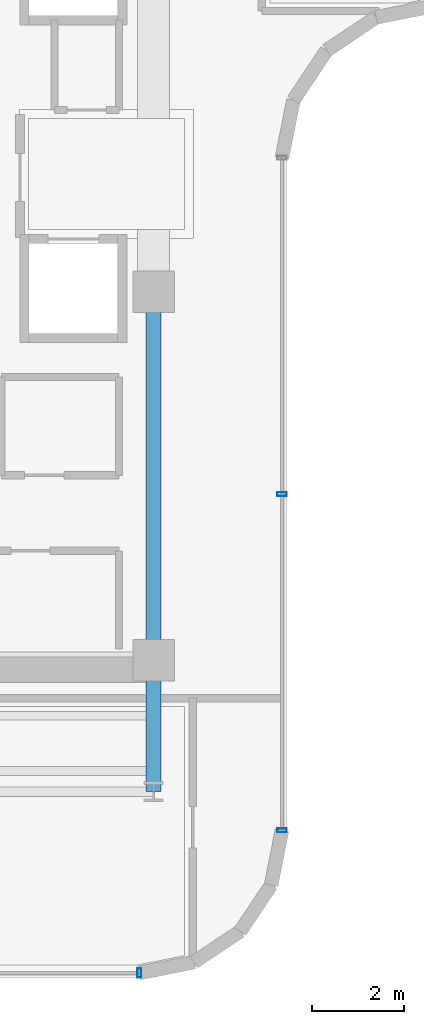
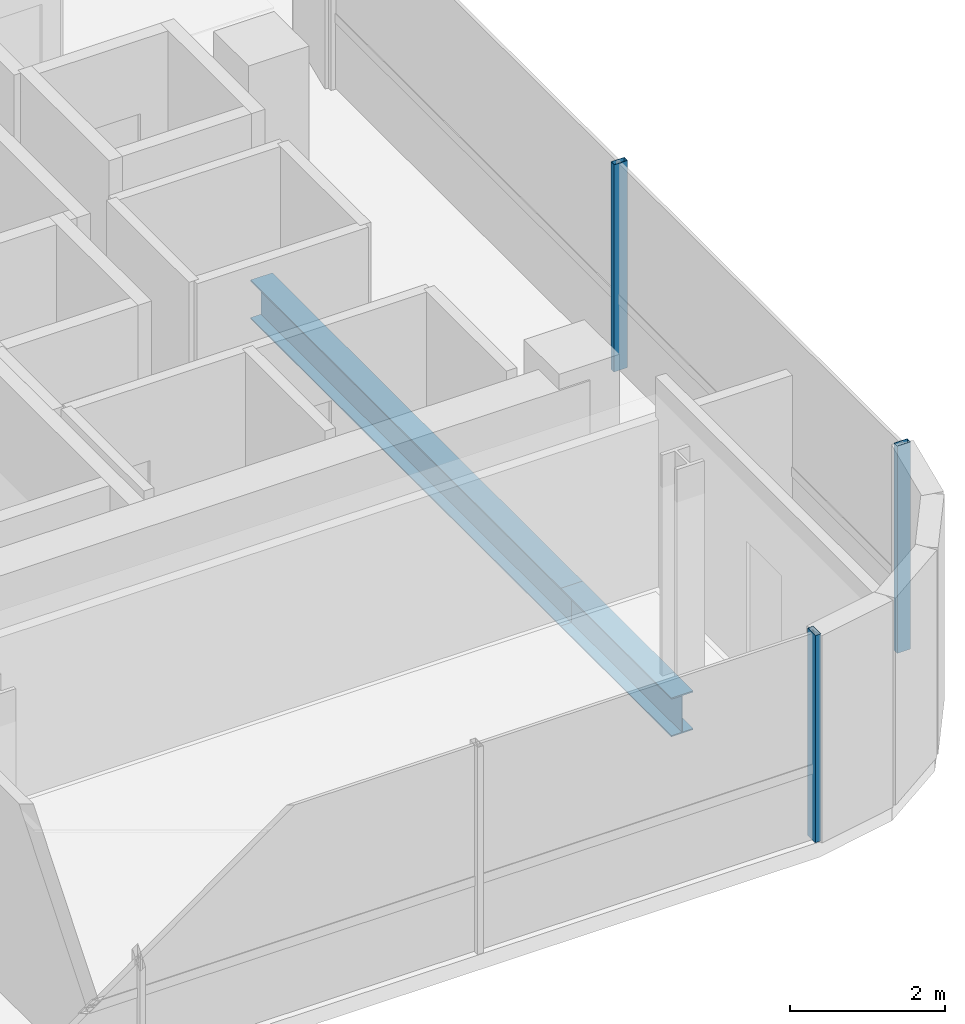
# One storey, part 5 of 22: 3 members, 2 beams, 2 elements without a shape of their own.
"""IFC4 building model written with IfcOpenShell, lengths in metres."""

from ifc_helpers import new_model, si_unit, direction, frame, origin, origin_2d, place, context, subcontext, project, spatial, hollow_rectangle, i_section, extrude, source, transform, mapped, material, material_profile, profile_set, type_object, element, aggregate, save


model = new_model("IFC4")

# Units and contexts
model_context = context("Model", 3, precision=1e-05, world=origin(), true_north=direction((0.0, 1.0)))
body_context = subcontext(model_context, "Body", "Model", "MODEL_VIEW")
ifc_project = project(units=[si_unit("LENGTHUNIT", "METRE"), si_unit("AREAUNIT", "SQUARE_METRE"), si_unit("VOLUMEUNIT", "CUBIC_METRE"), si_unit("PLANEANGLEUNIT", "RADIAN"), si_unit("MASSUNIT", "GRAM", prefix="KILO")], contexts=[model_context])

# Site, building, storey
site_placement = place(None, origin())
site = spatial("IfcSite", under=ifc_project, at=site_placement, CompositionType="ELEMENT")
building_placement = place(site_placement, origin())
building = spatial("IfcBuilding", under=site, at=building_placement, Name="Valdorenza Pilgrim Sanctuary Tower", CompositionType="ELEMENT")
storey_placement = place(building_placement, frame((0.0, 0.0, 209.0)))
storey = spatial("IfcBuildingStorey", under=building, at=storey_placement, Name="L53", CompositionType="ELEMENT", Elevation=209.0)

# Beams
ifc_material_1 = material(Name="Steel ASTM A992 Grade 50", Category="steel")
ifc_material_profile_1 = material_profile(ifc_material_1, i_section(OverallWidth=0.323974609375, OverallDepth=0.611083984375, WebThickness=0.0126953125, FlangeThickness=0.01904296875, at=origin_2d()), Name="W24X104")
ifc_profile_set_1 = profile_set([ifc_material_profile_1], Name="Steel ASTM A992 Grade 50")
beam_type = type_object("IfcBeamType", Name="STR-BM-GRD-W24B", PredefinedType="BEAM", material=ifc_profile_set_1)
shared_shape_1 = source(origin(), body_context, "Body", "SweptSolid", [
    extrude(i_section(OverallWidth=0.323974609375, OverallDepth=0.611083984375, WebThickness=0.0126953125, FlangeThickness=0.01904296875, at=origin_2d()), origin(), (0.0, 0.0, 1.0), 8.0),
])
beam_1_placement = place(storey_placement, frame((-12.39990234375, -10.60009765625, -0.54541015625), z_axis=(0.0, 1.0, 0.0), x_axis=(-1.0, 0.0, 0.0)))
element("IfcBeam", 1, at=beam_1_placement, inside=storey, type_object=beam_type, Name="L53 Core Tie Girder CA-E-S1M0", PredefinedType="BEAM", context=body_context, shape_type="MappedRepresentation", body=[
    mapped(shared_shape_1, transform((0.0, 0.0, 0.0), x_axis=(1.0, 0.0, 0.0), y_axis=(0.0, 1.0, 0.0), z_axis=(0.0, 0.0, 1.0), scale=1.0)),
])
shared_shape_2 = source(origin(), body_context, "Body", "SweptSolid", [
    extrude(i_section(OverallWidth=0.323974609375, OverallDepth=0.611083984375, WebThickness=0.0126953125, FlangeThickness=0.01904296875, at=origin_2d()), origin(), (0.0, 0.0, 1.0), 2.849853515625),
])
beam_2_placement = place(storey_placement, frame((-12.39990234375, -13.449951171875, -0.54541015625), z_axis=(0.0, 1.0, 0.0), x_axis=(-1.0, 0.0, 0.0)))
element("IfcBeam", 2, at=beam_2_placement, inside=storey, type_object=beam_type, Name="L53 Floor Girder WA-S-LE", PredefinedType="BEAM", context=body_context, shape_type="MappedRepresentation", body=[
    mapped(shared_shape_2, transform((0.0, 0.0, 0.0), x_axis=(1.0, 0.0, 0.0), y_axis=(0.0, 1.0, 0.0), z_axis=(0.0, 0.0, 1.0), scale=1.0)),
])

# Curtain wall, members
ifc_material_2 = material(Name="Curtain-wall IGU glazing", Category="glass")
curtain_wall_type = type_object("IfcCurtainWallType", Name="CW-SYS-02", PredefinedType="NOTDEFINED", material=ifc_material_2)
curtain_wall_1_placement = place(storey_placement, origin())
curtain_wall_1 = element("IfcCurtainWall", 3, at=curtain_wall_1_placement, inside=storey, type_object=curtain_wall_type, Name="L53 Curtain Wall CW-L53-1-21", PredefinedType="NOTDEFINED")
ifc_material_3 = material(Name="Anodised aluminium AW-6060", Category="aluminium")
ifc_material_profile_2 = material_profile(ifc_material_3, hollow_rectangle(XDim=0.0849609375, YDim=0.199951171875, WallThickness=0.0048828125, at=origin_2d()), Name="ALU-M 200x85x5")
ifc_profile_set_2 = profile_set([ifc_material_profile_2], Name="Anodised aluminium AW-6060")
member_type = type_object("IfcMemberType", Name="CW-MUL-02", PredefinedType="MULLION", material=ifc_profile_set_2)
shared_shape_3 = source(origin(), body_context, "Body", "SweptSolid", [
    extrude(hollow_rectangle(XDim=0.0849609375, YDim=0.199951171875, WallThickness=0.0048828125, at=origin_2d()), origin(), (0.0, 0.0, 1.0), 3.260009765625),
])
member_1_placement = place(storey_placement, frame((-9.610107421875, -6.9892578125, 0.0), z_axis=(0.0, 0.0, 1.0), x_axis=(0.0, -1.0, 0.0)))
member_1 = element("IfcMember", 4, at=member_1_placement, type_object=member_type, Name="CW-L53-1-21 Mullion 2", PredefinedType="MULLION", context=body_context, shape_type="MappedRepresentation", body=[
    mapped(shared_shape_3, transform((0.0, 0.0, 0.0), x_axis=(1.0, 0.0, 0.0), y_axis=(0.0, 1.0, 0.0), z_axis=(0.0, 0.0, 1.0), scale=1.0)),
])
member_2_placement = place(storey_placement, frame((-9.610107421875, -14.289306640625, 0.0), z_axis=(0.0, 0.0, 1.0), x_axis=(0.0, -1.0, 0.0)))
member_2 = element("IfcMember", 5, at=member_2_placement, type_object=member_type, Name="CW-L53-1-21 Mullion 3", PredefinedType="MULLION", context=body_context, shape_type="MappedRepresentation", body=[
    mapped(shared_shape_3, transform((0.0, 0.0, 0.0), x_axis=(1.0, 0.0, 0.0), y_axis=(0.0, 1.0, 0.0), z_axis=(0.0, 0.0, 1.0), scale=1.0)),
])
aggregate(curtain_wall_1, [member_1, member_2])

# Curtain wall, member
curtain_wall_2_placement = place(storey_placement, origin())
curtain_wall_2 = element("IfcCurtainWall", 6, at=curtain_wall_2_placement, inside=storey, type_object=curtain_wall_type, Name="L53 Curtain Wall CW-L53-1-26", PredefinedType="NOTDEFINED")
member_3_placement = place(storey_placement, frame((-12.710693359375, -17.389892578125, 0.0), z_axis=(0.0, 0.0, 1.0), x_axis=(-1.0, 0.0, 0.0)))
member_3 = element("IfcMember", 7, at=member_3_placement, type_object=member_type, Name="CW-L53-1-26 Mullion 1", PredefinedType="MULLION", context=body_context, shape_type="MappedRepresentation", body=[
    mapped(shared_shape_3, transform((0.0, 0.0, 0.0), x_axis=(1.0, 0.0, 0.0), y_axis=(0.0, 1.0, 0.0), z_axis=(0.0, 0.0, 1.0), scale=1.0)),
])
aggregate(curtain_wall_2, [member_3])

save(model, "model.ifc")
